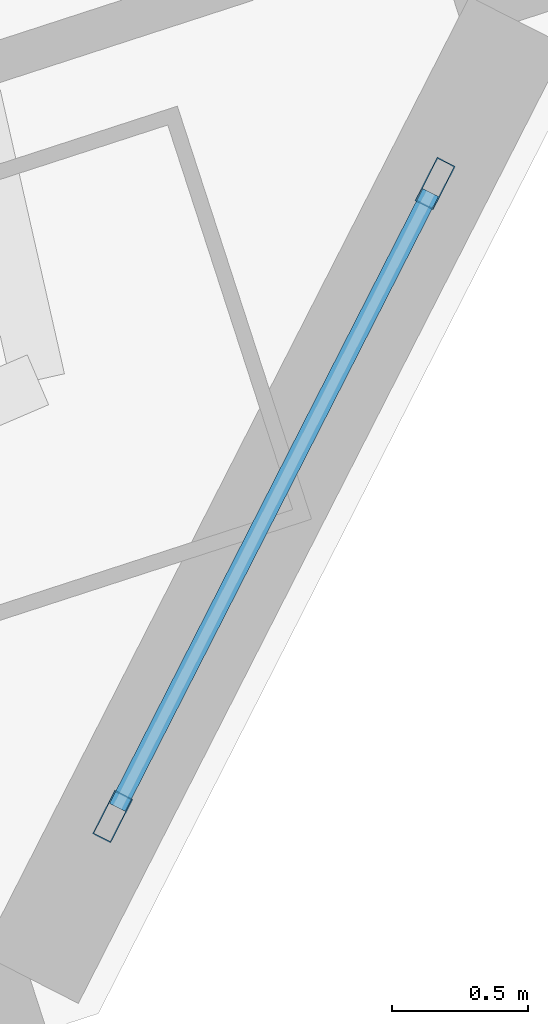
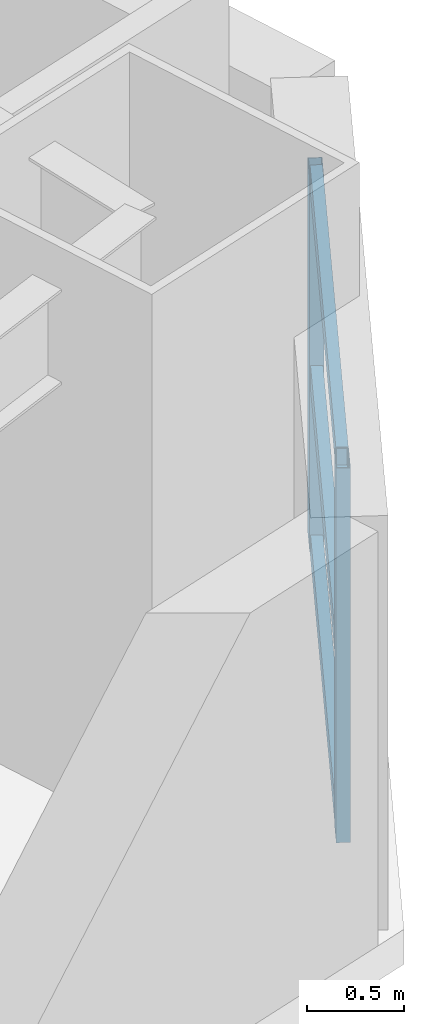
# One storey, part 8 of 19: 5 members, 1 element without a shape of its own.
"""IFC4 building model written with IfcOpenShell, lengths in metres."""

from ifc_helpers import new_model, si_unit, direction, frame, origin, origin_2d, place, context, subcontext, project, spatial, hollow_rectangle, extrude, material, layer, layer_set, material_profile, profile_set, type_object, element, aggregate, save


model = new_model("IFC4")

# Units and contexts
model_context = context("Model", 3, precision=1e-05, world=origin(), true_north=direction((0.0, 1.0)))
body_context = subcontext(model_context, "Body", "Model", "MODEL_VIEW")
ifc_project = project(units=[si_unit("LENGTHUNIT", "METRE"), si_unit("AREAUNIT", "SQUARE_METRE"), si_unit("VOLUMEUNIT", "CUBIC_METRE"), si_unit("PLANEANGLEUNIT", "RADIAN"), si_unit("MASSUNIT", "GRAM", prefix="KILO")], contexts=[model_context])

# Site, building, storey
site_placement = place(None, origin())
site = spatial("IfcSite", under=ifc_project, at=site_placement, CompositionType="ELEMENT")
building_placement = place(site_placement, origin())
building = spatial("IfcBuilding", under=site, at=building_placement, Name="Qiaolan Cultural Towers", CompositionType="ELEMENT")
storey_placement = place(building_placement, frame((0.0, 0.0, 54.050048828125)))
storey = spatial("IfcBuildingStorey", under=building, at=storey_placement, Name="L12", CompositionType="ELEMENT", Elevation=54.050048828125)

# Curtain wall, members
ifc_material_1 = material(Name="Unitized Anodized Aluminium Curtain Wall System", Category="aluminium")
ifc_layer = layer(ifc_material_1, 0.199951171875)
ifc_layer_set = layer_set([ifc_layer], Name="Unitized Anodized Aluminium Curtain Wall System")
curtain_wall_type = type_object("IfcCurtainWallType", Name="CWS-02", PredefinedType="NOTDEFINED", material=ifc_layer_set)
curtain_wall_placement = place(storey_placement, origin())
curtain_wall = element("IfcCurtainWall", 1, at=curtain_wall_placement, inside=storey, type_object=curtain_wall_type, Name="L12 T2 Chamfer Wind-Corner Feature Curtain Wall 2", PredefinedType="NOTDEFINED")
ifc_material_2 = material(Name="Extruded Aluminium 6063-T6", Category="aluminium")
ifc_material_profile_1 = material_profile(ifc_material_2, hollow_rectangle(XDim=0.074951171875, YDim=0.179931640625, WallThickness=0.00390625, at=origin_2d()), Name="CWM-180x75x4")
ifc_profile_set_1 = profile_set([ifc_material_profile_1], Name="Extruded Aluminium 6063-T6")
member_type_1 = type_object("IfcMemberType", Name="CWS-02-MUL", PredefinedType="MULLION", material=ifc_profile_set_1)
member_1_placement = place(storey_placement, frame((115.49072265625, 15.4970703125, 0.14990234375), z_axis=(0.0, 0.0, 1.0), x_axis=(0.89100656444, -0.45399042074, 0.0)))
member_1 = element("IfcMember", 2, at=member_1_placement, type_object=member_type_1, Name="CW-2 mullion 1", PredefinedType="MULLION", context=body_context, shape_type="SweptSolid", body=[
    extrude(hollow_rectangle(XDim=0.074951171875, YDim=0.179931640625, WallThickness=0.00390625, at=origin_2d()), origin(), (0.0, 0.0, 1.0), 2.360107421875),
])
member_2_placement = place(storey_placement, frame((114.302490234375, 13.16455078125, 0.14990234375), z_axis=(0.0, 0.0, 1.0), x_axis=(0.89100656444, -0.45399042074, 0.0)))
member_2 = element("IfcMember", 3, at=member_2_placement, type_object=member_type_1, Name="CW-2 mullion 2", PredefinedType="MULLION", context=body_context, shape_type="SweptSolid", body=[
    extrude(hollow_rectangle(XDim=0.074951171875, YDim=0.179931640625, WallThickness=0.00390625, at=origin_2d()), origin(), (0.0, 0.0, 1.0), 2.360107421875),
])
ifc_material_3 = material(Name="Extruded Aluminium 6063-T6", Category="aluminium")
ifc_material_profile_2 = material_profile(ifc_material_3, hollow_rectangle(XDim=0.06494140625, YDim=0.14990234375, WallThickness=0.00390625, at=origin_2d()), Name="CWT-150x65x4")
ifc_profile_set_2 = profile_set([ifc_material_profile_2], Name="Extruded Aluminium 6063-T6")
member_type_2 = type_object("IfcMemberType", Name="CWS-02-TRN", PredefinedType="USERDEFINED", material=ifc_profile_set_2)
member_3_placement = place(storey_placement, frame((115.473876953125, 15.463623046875, 0.182373046875), z_axis=(-0.453960300991, -0.891021910575, 0.0), x_axis=(0.891021910575, -0.453960300991, 0.0)))
member_3 = element("IfcMember", 4, at=member_3_placement, type_object=member_type_2, Name="CW-2 transom 1.1", ObjectType="TRANSOM", PredefinedType="USERDEFINED", context=body_context, shape_type="SweptSolid", body=[
    extrude(hollow_rectangle(XDim=0.06494140625, YDim=0.14990234375, WallThickness=0.00390625, at=origin_2d()), origin(), (0.0, 0.0, 1.0), 2.542724609375),
])
member_4_placement = place(storey_placement, frame((115.473876953125, 15.463623046875, 1.25), z_axis=(-0.453960300991, -0.891021910575, 0.0), x_axis=(0.891021910575, -0.453960300991, 0.0)))
member_4 = element("IfcMember", 5, at=member_4_placement, type_object=member_type_2, Name="CW-2 transom 1.2", ObjectType="TRANSOM", PredefinedType="USERDEFINED", context=body_context, shape_type="SweptSolid", body=[
    extrude(hollow_rectangle(XDim=0.06494140625, YDim=0.14990234375, WallThickness=0.00390625, at=origin_2d()), origin(), (0.0, 0.0, 1.0), 2.542724609375),
])
member_5_placement = place(storey_placement, frame((115.473876953125, 15.463623046875, 2.4775390625), z_axis=(-0.453960300991, -0.891021910575, 0.0), x_axis=(0.891021910575, -0.453960300991, 0.0)))
member_5 = element("IfcMember", 6, at=member_5_placement, type_object=member_type_2, Name="CW-2 transom 1.3", ObjectType="TRANSOM", PredefinedType="USERDEFINED", context=body_context, shape_type="SweptSolid", body=[
    extrude(hollow_rectangle(XDim=0.06494140625, YDim=0.14990234375, WallThickness=0.00390625, at=origin_2d()), origin(), (0.0, 0.0, 1.0), 2.542724609375),
])
aggregate(curtain_wall, [member_1, member_2, member_3, member_4, member_5])

save(model, "model.ifc")
